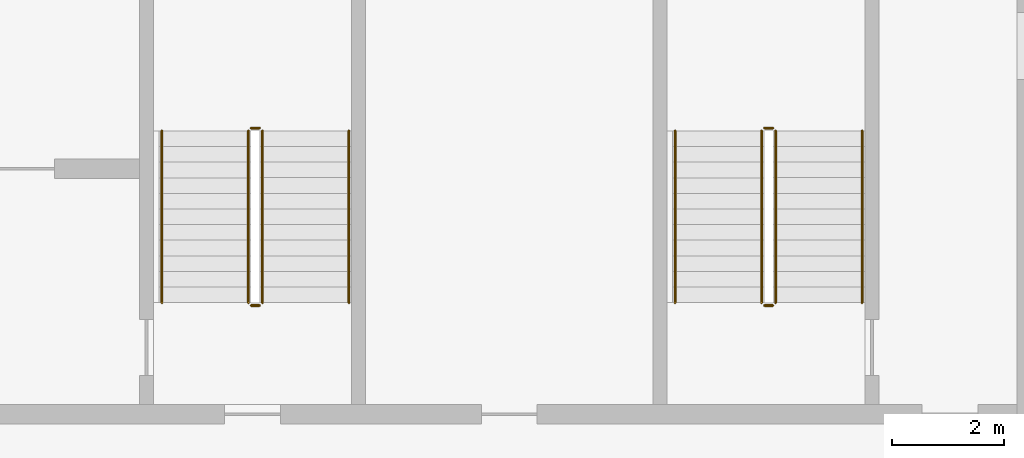
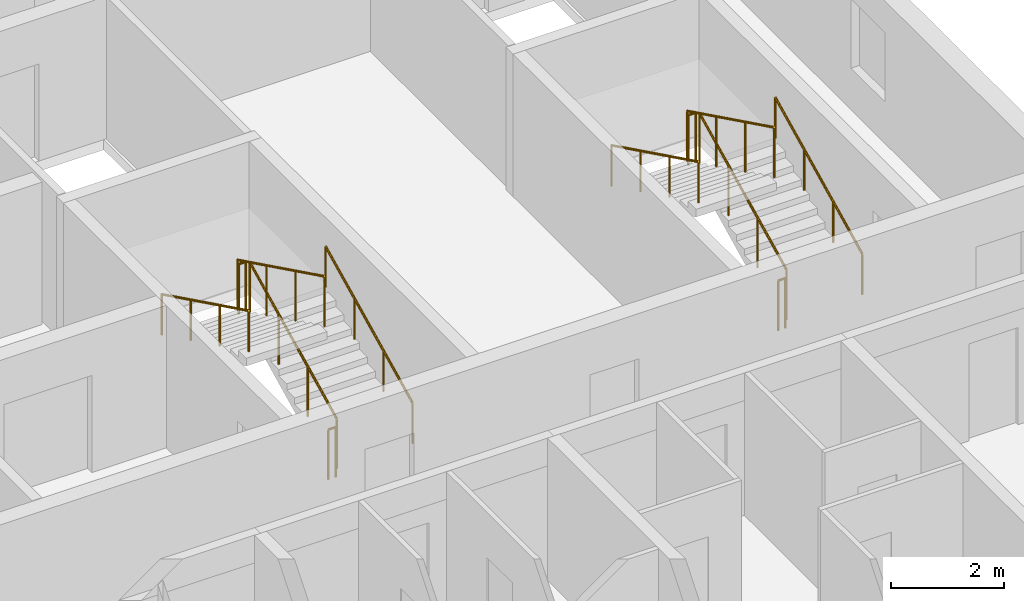
# One storey, part 14 of 26: 12 railings.
"""IFC4 building model written with IfcOpenShell, lengths in metres."""

from ifc_helpers import new_model, si_unit, direction, frame, origin, origin_2d, place, context, subcontext, project, spatial, circle, extrude, material, type_object, element, save


model = new_model("IFC4")

# Units and contexts
model_context = context("Model", 3, precision=1e-05, world=origin(), true_north=direction((0.0, 1.0)))
body_context = subcontext(model_context, "Body", "Model", "MODEL_VIEW")
ifc_project = project(units=[si_unit("LENGTHUNIT", "METRE"), si_unit("AREAUNIT", "SQUARE_METRE"), si_unit("VOLUMEUNIT", "CUBIC_METRE"), si_unit("PLANEANGLEUNIT", "RADIAN"), si_unit("MASSUNIT", "GRAM", prefix="KILO")], contexts=[model_context])

# Site, building, storey
site_placement = place(None, origin())
site = spatial("IfcSite", under=ifc_project, at=site_placement, CompositionType="ELEMENT")
building_placement = place(site_placement, origin())
building = spatial("IfcBuilding", under=site, at=building_placement, Name="Poui Terraces", CompositionType="ELEMENT")
storey_placement = place(building_placement, frame((0.0, 0.0, 224.699951171875)))
storey = spatial("IfcBuildingStorey", under=building, at=storey_placement, Name="L62", CompositionType="ELEMENT", Elevation=224.699951171875)

# Railings
ifc_material_1 = material(Name="Galvanised steel balustrade", Category="steel")
railing_type_1 = type_object("IfcRailingType", Name="STAIR GUARD 1100", PredefinedType="GUARDRAIL", material=ifc_material_1)
railing_1_placement = place(storey_placement, frame((70.27490234375, 16.60009765625, 0.137451171875)))
element("IfcRailing", 1, at=railing_1_placement, inside=storey, type_object=railing_type_1, Name="L62 ST-CE stair guard 1", PredefinedType="GUARDRAIL", context=body_context, shape_type="SweptSolid", body=[
    extrude(circle(Radius=0.02392578125, at=origin_2d()), frame((0.0, 0.0, 1.076171875), z_axis=(0.0, 0.897578036475, 0.440855609512), x_axis=(-1.0, 0.0, 0.0)), (0.0, 0.0, 1.0), 3.43115234375),
    extrude(circle(Radius=0.02099609375, at=origin_2d()), origin(), (0.0, 0.0, 1.0), 1.052001953125),
    extrude(circle(Radius=0.02099609375, at=origin_2d()), frame((0.0, 1.026611328125, 0.504150390625)), (0.0, 0.0, 1.0), 1.052001953125),
    extrude(circle(Radius=0.02099609375, at=origin_2d()), frame((0.0, 2.05322265625, 1.008544921875)), (0.0, 0.0, 1.0), 1.052001953125),
    extrude(circle(Radius=0.02099609375, at=origin_2d()), frame((0.0, 3.079833984375, 1.5126953125)), (0.0, 0.0, 1.0), 1.052001953125),
])
railing_2_placement = place(storey_placement, frame((70.22509765625, 19.72998046875, 1.650146484375)))
element("IfcRailing", 2, at=railing_2_placement, inside=storey, type_object=railing_type_1, Name="L62 ST-CE stair guard 2", PredefinedType="GUARDRAIL", context=body_context, shape_type="SweptSolid", body=[
    extrude(circle(Radius=0.02392578125, at=origin_2d()), frame((0.0, 0.0, 1.076171875), z_axis=(-1.0, 0.0, 0.0), x_axis=(0.0, -1.0, 0.0)), (0.0, 0.0, 1.0), 0.150146484375),
    extrude(circle(Radius=0.02099609375, at=origin_2d()), origin(), (0.0, 0.0, 1.0), 1.052001953125),
    extrude(circle(Radius=0.02099609375, at=origin_2d()), frame((-0.150146484375, 0.0, 0.0)), (0.0, 0.0, 1.0), 1.052001953125),
])
railing_3_placement = place(storey_placement, frame((70.02490234375, 19.679931640625, 1.78759765625)))
element("IfcRailing", 3, at=railing_3_placement, inside=storey, type_object=railing_type_1, Name="L62 ST-CE stair guard 3", PredefinedType="GUARDRAIL", context=body_context, shape_type="SweptSolid", body=[
    extrude(circle(Radius=0.02392578125, at=origin_2d()), frame((0.0, 0.0, 1.076171875), z_axis=(0.0, -0.897606190399, 0.440798283751), x_axis=(1.0, 0.0, 0.0)), (0.0, 0.0, 1.0), 3.43115234375),
    extrude(circle(Radius=0.02099609375, at=origin_2d()), origin(), (0.0, 0.0, 1.0), 1.052001953125),
    extrude(circle(Radius=0.02099609375, at=origin_2d()), frame((0.0, -1.026611328125, 0.504150390625)), (0.0, 0.0, 1.0), 1.052001953125),
    extrude(circle(Radius=0.02099609375, at=origin_2d()), frame((0.0, -2.05322265625, 1.00830078125)), (0.0, 0.0, 1.0), 1.052001953125),
    extrude(circle(Radius=0.02099609375, at=origin_2d()), frame((0.0, -3.079833984375, 1.512451171875)), (0.0, 0.0, 1.0), 1.052001953125),
])
railing_4_placement = place(storey_placement, frame((70.22509765625, 16.550048828125, 0.0)))
element("IfcRailing", 4, at=railing_4_placement, inside=storey, type_object=railing_type_1, Name="L62 ST-CE stair guard 4", PredefinedType="GUARDRAIL", context=body_context, shape_type="SweptSolid", body=[
    extrude(circle(Radius=0.02392578125, at=origin_2d()), frame((0.0, 0.0, 1.076171875), z_axis=(-1.0, 0.0, 0.0), x_axis=(0.0, -1.0, 0.0)), (0.0, 0.0, 1.0), 0.150146484375),
    extrude(circle(Radius=0.02099609375, at=origin_2d()), origin(), (0.0, 0.0, 1.0), 1.052001953125),
    extrude(circle(Radius=0.02099609375, at=origin_2d()), frame((-0.150146484375, 0.0, 0.0)), (0.0, 0.0, 1.0), 1.052001953125),
])
railing_5_placement = place(storey_placement, frame((79.47509765625, 16.60009765625, 0.137451171875)))
element("IfcRailing", 5, at=railing_5_placement, inside=storey, type_object=railing_type_1, Name="L62 ST-E stair guard 1", PredefinedType="GUARDRAIL", context=body_context, shape_type="SweptSolid", body=[
    extrude(circle(Radius=0.02392578125, at=origin_2d()), frame((0.0, 0.0, 1.076171875), z_axis=(0.0, 0.897578036475, 0.440855609512), x_axis=(-1.0, 0.0, 0.0)), (0.0, 0.0, 1.0), 3.43115234375),
    extrude(circle(Radius=0.02099609375, at=origin_2d()), origin(), (0.0, 0.0, 1.0), 1.052001953125),
    extrude(circle(Radius=0.02099609375, at=origin_2d()), frame((0.0, 1.026611328125, 0.504150390625)), (0.0, 0.0, 1.0), 1.052001953125),
    extrude(circle(Radius=0.02099609375, at=origin_2d()), frame((0.0, 2.05322265625, 1.008544921875)), (0.0, 0.0, 1.0), 1.052001953125),
    extrude(circle(Radius=0.02099609375, at=origin_2d()), frame((0.0, 3.079833984375, 1.5126953125)), (0.0, 0.0, 1.0), 1.052001953125),
])
railing_6_placement = place(storey_placement, frame((79.425048828125, 19.72998046875, 1.650146484375)))
element("IfcRailing", 6, at=railing_6_placement, inside=storey, type_object=railing_type_1, Name="L62 ST-E stair guard 2", PredefinedType="GUARDRAIL", context=body_context, shape_type="SweptSolid", body=[
    extrude(circle(Radius=0.02392578125, at=origin_2d()), frame((0.0, 0.0, 1.076171875), z_axis=(-1.0, 0.0, 0.0), x_axis=(0.0, -1.0, 0.0)), (0.0, 0.0, 1.0), 0.150146484375),
    extrude(circle(Radius=0.02099609375, at=origin_2d()), origin(), (0.0, 0.0, 1.0), 1.052001953125),
    extrude(circle(Radius=0.02099609375, at=origin_2d()), frame((-0.150146484375, 0.0, 0.0)), (0.0, 0.0, 1.0), 1.052001953125),
])
railing_7_placement = place(storey_placement, frame((79.22509765625, 19.679931640625, 1.78759765625)))
element("IfcRailing", 7, at=railing_7_placement, inside=storey, type_object=railing_type_1, Name="L62 ST-E stair guard 3", PredefinedType="GUARDRAIL", context=body_context, shape_type="SweptSolid", body=[
    extrude(circle(Radius=0.02392578125, at=origin_2d()), frame((0.0, 0.0, 1.076171875), z_axis=(0.0, -0.897606190399, 0.440798283751), x_axis=(1.0, 0.0, 0.0)), (0.0, 0.0, 1.0), 3.43115234375),
    extrude(circle(Radius=0.02099609375, at=origin_2d()), origin(), (0.0, 0.0, 1.0), 1.052001953125),
    extrude(circle(Radius=0.02099609375, at=origin_2d()), frame((0.0, -1.026611328125, 0.504150390625)), (0.0, 0.0, 1.0), 1.052001953125),
    extrude(circle(Radius=0.02099609375, at=origin_2d()), frame((0.0, -2.05322265625, 1.00830078125)), (0.0, 0.0, 1.0), 1.052001953125),
    extrude(circle(Radius=0.02099609375, at=origin_2d()), frame((0.0, -3.079833984375, 1.512451171875)), (0.0, 0.0, 1.0), 1.052001953125),
])
railing_8_placement = place(storey_placement, frame((79.425048828125, 16.550048828125, 0.0)))
element("IfcRailing", 8, at=railing_8_placement, inside=storey, type_object=railing_type_1, Name="L62 ST-E stair guard 4", PredefinedType="GUARDRAIL", context=body_context, shape_type="SweptSolid", body=[
    extrude(circle(Radius=0.02392578125, at=origin_2d()), frame((0.0, 0.0, 1.076171875), z_axis=(-1.0, 0.0, 0.0), x_axis=(0.0, -1.0, 0.0)), (0.0, 0.0, 1.0), 0.150146484375),
    extrude(circle(Radius=0.02099609375, at=origin_2d()), origin(), (0.0, 0.0, 1.0), 1.052001953125),
    extrude(circle(Radius=0.02099609375, at=origin_2d()), frame((-0.150146484375, 0.0, 0.0)), (0.0, 0.0, 1.0), 1.052001953125),
])
ifc_material_2 = material(Name="Stainless steel handrail", Category="steel")
railing_type_2 = type_object("IfcRailingType", Name="STAIR HANDRAIL 900", PredefinedType="HANDRAIL", material=ifc_material_2)
railing_9_placement = place(storey_placement, frame((71.824951171875, 16.60009765625, 0.137451171875)))
element("IfcRailing", 9, at=railing_9_placement, inside=storey, type_object=railing_type_2, Name="L62 ST-CE stair handrail 1", PredefinedType="HANDRAIL", context=body_context, shape_type="SweptSolid", body=[
    extrude(circle(Radius=0.02392578125, at=origin_2d()), frame((0.0, 0.0, 0.8759765625), z_axis=(0.0, 0.897578036475, 0.440855609512), x_axis=(-1.0, 0.0, 0.0)), (0.0, 0.0, 1.0), 3.43115234375),
    extrude(circle(Radius=0.02099609375, at=origin_2d()), origin(), (0.0, 0.0, 1.0), 0.851806640625),
    extrude(circle(Radius=0.02099609375, at=origin_2d()), frame((0.0, 1.026611328125, 0.504150390625)), (0.0, 0.0, 1.0), 0.851806640625),
    extrude(circle(Radius=0.02099609375, at=origin_2d()), frame((0.0, 2.05322265625, 1.008544921875)), (0.0, 0.0, 1.0), 0.851806640625),
    extrude(circle(Radius=0.02099609375, at=origin_2d()), frame((0.0, 3.079833984375, 1.5126953125)), (0.0, 0.0, 1.0), 0.851806640625),
])
railing_10_placement = place(storey_placement, frame((68.47509765625, 19.679931640625, 1.78759765625)))
element("IfcRailing", 10, at=railing_10_placement, inside=storey, type_object=railing_type_2, Name="L62 ST-CE stair handrail 2", PredefinedType="HANDRAIL", context=body_context, shape_type="SweptSolid", body=[
    extrude(circle(Radius=0.02392578125, at=origin_2d()), frame((0.0, 0.0, 0.8759765625), z_axis=(0.0, -0.897606190399, 0.440798283751), x_axis=(1.0, 0.0, 0.0)), (0.0, 0.0, 1.0), 3.43115234375),
    extrude(circle(Radius=0.02099609375, at=origin_2d()), origin(), (0.0, 0.0, 1.0), 0.851806640625),
    extrude(circle(Radius=0.02099609375, at=origin_2d()), frame((0.0, -1.026611328125, 0.504150390625)), (0.0, 0.0, 1.0), 0.851806640625),
    extrude(circle(Radius=0.02099609375, at=origin_2d()), frame((0.0, -2.05322265625, 1.00830078125)), (0.0, 0.0, 1.0), 0.851806640625),
    extrude(circle(Radius=0.02099609375, at=origin_2d()), frame((0.0, -3.079833984375, 1.512451171875)), (0.0, 0.0, 1.0), 0.851806640625),
])
railing_11_placement = place(storey_placement, frame((81.02490234375, 16.60009765625, 0.137451171875)))
element("IfcRailing", 11, at=railing_11_placement, inside=storey, type_object=railing_type_2, Name="L62 ST-E stair handrail 1", PredefinedType="HANDRAIL", context=body_context, shape_type="SweptSolid", body=[
    extrude(circle(Radius=0.02392578125, at=origin_2d()), frame((0.0, 0.0, 0.8759765625), z_axis=(0.0, 0.897578036475, 0.440855609512), x_axis=(-1.0, 0.0, 0.0)), (0.0, 0.0, 1.0), 3.43115234375),
    extrude(circle(Radius=0.02099609375, at=origin_2d()), origin(), (0.0, 0.0, 1.0), 0.851806640625),
    extrude(circle(Radius=0.02099609375, at=origin_2d()), frame((0.0, 1.026611328125, 0.504150390625)), (0.0, 0.0, 1.0), 0.851806640625),
    extrude(circle(Radius=0.02099609375, at=origin_2d()), frame((0.0, 2.05322265625, 1.008544921875)), (0.0, 0.0, 1.0), 0.851806640625),
    extrude(circle(Radius=0.02099609375, at=origin_2d()), frame((0.0, 3.079833984375, 1.5126953125)), (0.0, 0.0, 1.0), 0.851806640625),
])
railing_12_placement = place(storey_placement, frame((77.675048828125, 19.679931640625, 1.78759765625)))
element("IfcRailing", 12, at=railing_12_placement, inside=storey, type_object=railing_type_2, Name="L62 ST-E stair handrail 2", PredefinedType="HANDRAIL", context=body_context, shape_type="SweptSolid", body=[
    extrude(circle(Radius=0.02392578125, at=origin_2d()), frame((0.0, 0.0, 0.8759765625), z_axis=(0.0, -0.897606190399, 0.440798283751), x_axis=(1.0, 0.0, 0.0)), (0.0, 0.0, 1.0), 3.43115234375),
    extrude(circle(Radius=0.02099609375, at=origin_2d()), origin(), (0.0, 0.0, 1.0), 0.851806640625),
    extrude(circle(Radius=0.02099609375, at=origin_2d()), frame((0.0, -1.026611328125, 0.504150390625)), (0.0, 0.0, 1.0), 0.851806640625),
    extrude(circle(Radius=0.02099609375, at=origin_2d()), frame((0.0, -2.05322265625, 1.00830078125)), (0.0, 0.0, 1.0), 0.851806640625),
    extrude(circle(Radius=0.02099609375, at=origin_2d()), frame((0.0, -3.079833984375, 1.512451171875)), (0.0, 0.0, 1.0), 0.851806640625),
])

save(model, "model.ifc")
